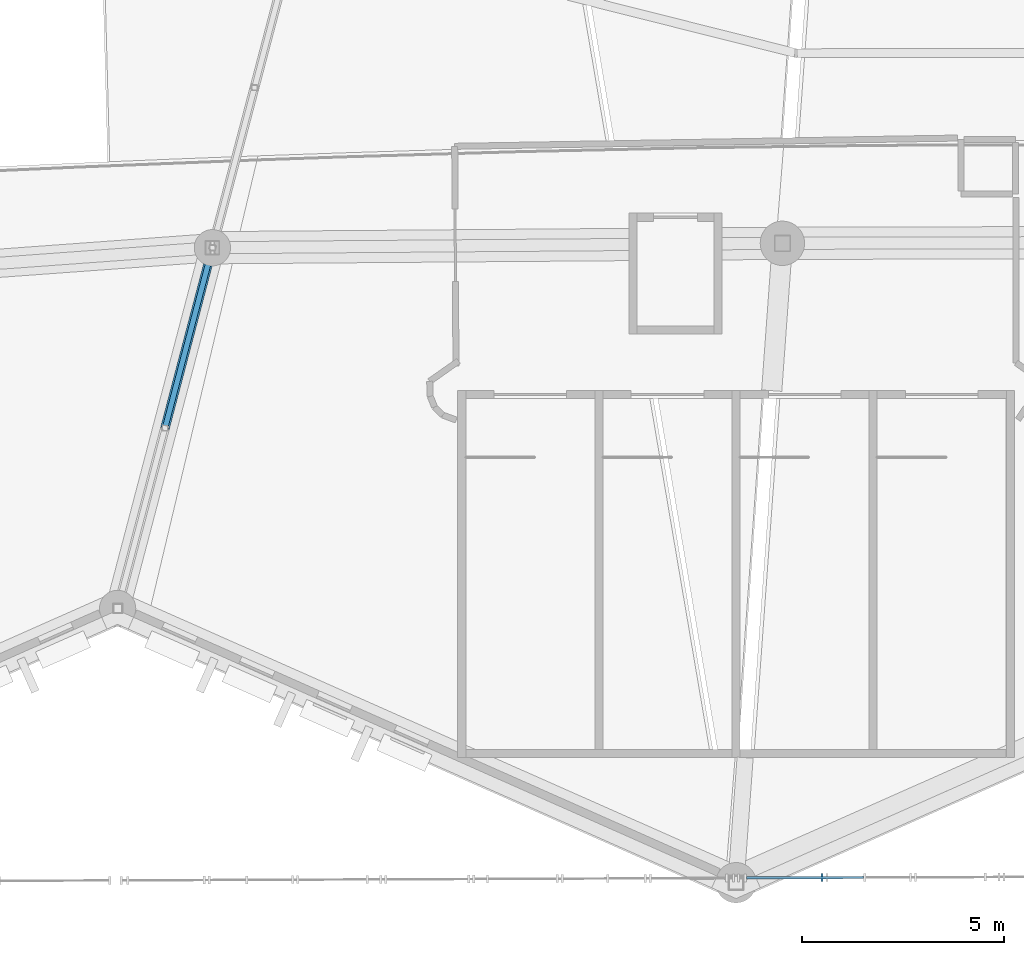
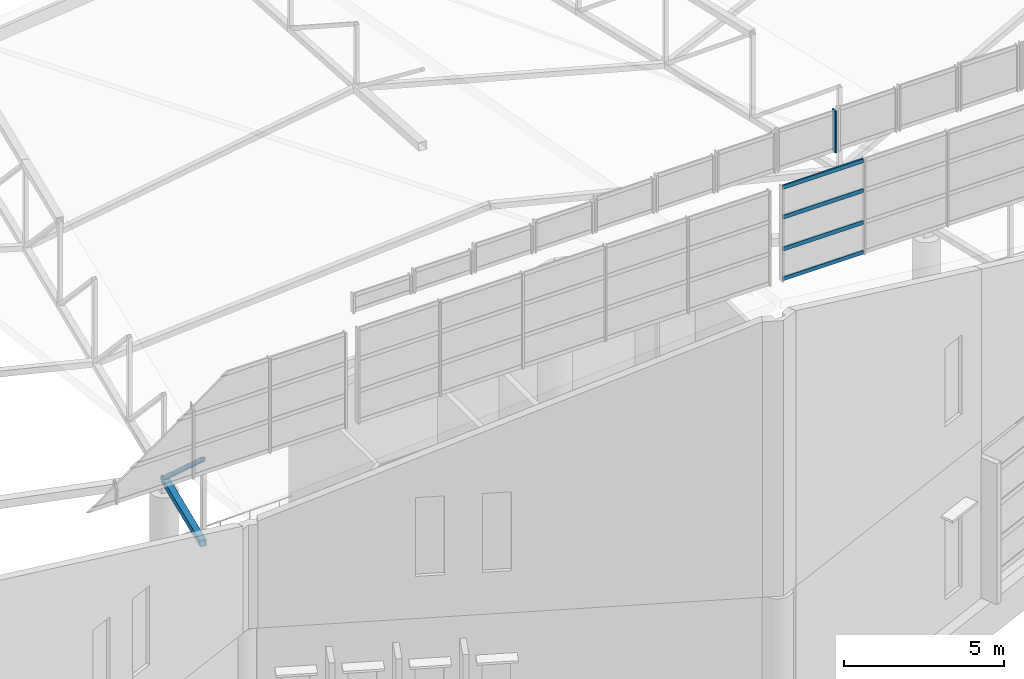
# One storey, part 27 of 344: 7 members, 2 elements without a shape of their own.
"""IFC4 building model written with IfcOpenShell, lengths in metres."""

from ifc_helpers import new_model, si_unit, direction, frame, origin, origin_2d, place, context, subcontext, project, spatial, rectangle, hollow_rectangle, extrude, material, layer, layer_set, material_profile, profile_set, type_object, element, aggregate, save


model = new_model("IFC4")

# Units and contexts
model_context = context("Model", 3, precision=1e-05, world=origin(), true_north=direction((0.0, 1.0)))
body_context = subcontext(model_context, "Body", "Model", "MODEL_VIEW")
ifc_project = project(units=[si_unit("LENGTHUNIT", "METRE"), si_unit("AREAUNIT", "SQUARE_METRE"), si_unit("VOLUMEUNIT", "CUBIC_METRE"), si_unit("PLANEANGLEUNIT", "RADIAN"), si_unit("MASSUNIT", "GRAM", prefix="KILO")], contexts=[model_context])

# Site, building, storey
site_placement = place(None, origin())
site = spatial("IfcSite", under=ifc_project, at=site_placement, CompositionType="ELEMENT")
building_placement = place(site_placement, origin())
building = spatial("IfcBuilding", under=site, at=building_placement, Name="Meseta Stadium", CompositionType="ELEMENT")
storey_placement = place(building_placement, frame((0.0, 0.0, 24.0)))
storey = spatial("IfcBuildingStorey", under=building, at=storey_placement, Name="L04", CompositionType="ELEMENT", Elevation=24.0)

# Curtain wall, member
ifc_material_1 = material(Name="Aluminium", Category="aluminium")
ifc_layer = layer(ifc_material_1, 0.199951171875)
ifc_layer_set = layer_set([ifc_layer], Name="Gable glazing curtain wall")
curtain_wall_type = type_object("IfcCurtainWallType", Name="Gable glazing curtain wall", PredefinedType="NOTDEFINED", material=ifc_layer_set)
curtain_wall_1_placement = place(storey_placement, origin())
curtain_wall_1 = element("IfcCurtainWall", 1, at=curtain_wall_1_placement, inside=storey, type_object=curtain_wall_type, Name="Gable glazing south bay 15", PredefinedType="NOTDEFINED")
ifc_material_2 = material(Name="Aluminium", Category="aluminium")
ifc_material_profile_1 = material_profile(ifc_material_2, rectangle(XDim=0.199951171875, YDim=0.06005859375, at=origin_2d()), Name="CW 200x60")
ifc_profile_set_1 = profile_set([ifc_material_profile_1], Name="Aluminium")
member_type_1 = type_object("IfcMemberType", Name="CW mullion 60x200", PredefinedType="MULLION", material=ifc_profile_set_1)
member_1_placement = place(storey_placement, frame((-5.534912109375, -105.27392578125, 21.85498046875), z_axis=(0.0, 0.0, 1.0), x_axis=(-0.003847534652, 0.999992598211, 0.0)))
member_1 = element("IfcMember", 2, at=member_1_placement, type_object=member_type_1, Name="CWG mullion 2", PredefinedType="MULLION", context=body_context, shape_type="SweptSolid", body=[
    extrude(rectangle(XDim=0.199951171875, YDim=0.06005859375, at=origin_2d()), origin(), (0.0, 0.0, 1.0), 1.59228515625),
])
aggregate(curtain_wall_1, [member_1])

# Curtain wall, members
curtain_wall_2_placement = place(storey_placement, origin())
curtain_wall_2 = element("IfcCurtainWall", 3, at=curtain_wall_2_placement, inside=storey, type_object=curtain_wall_type, Name="Gable glazing south lower bay 03", PredefinedType="NOTDEFINED")
ifc_material_3 = material(Name="Aluminium", Category="aluminium")
ifc_material_profile_2 = material_profile(ifc_material_3, rectangle(XDim=0.06005859375, YDim=0.14990234375, at=origin_2d()), Name="CW 60x150")
ifc_profile_set_2 = profile_set([ifc_material_profile_2], Name="Aluminium")
member_type_2 = type_object("IfcMemberType", Name="CW transom 60x150", PredefinedType="USERDEFINED", material=ifc_profile_set_2)
member_2_placement = place(storey_placement, frame((-7.41162109375, -105.281005859375, 17.675048828125), z_axis=(0.999992520063, 0.003867792476, 0.0), x_axis=(-0.003867792476, 0.999992520063, 0.0)))
member_2 = element("IfcMember", 4, at=member_2_placement, type_object=member_type_2, Name="CWG transom 1.1", ObjectType="TRANSOM", PredefinedType="USERDEFINED", context=body_context, shape_type="SweptSolid", body=[
    extrude(rectangle(XDim=0.06005859375, YDim=0.14990234375, at=origin_2d()), origin(), (0.0, 0.0, 1.0), 2.903564453125),
])
member_3_placement = place(storey_placement, frame((-7.41162109375, -105.281005859375, 18.811767578125), z_axis=(0.999992520063, 0.003867792476, 0.0), x_axis=(-0.003867792476, 0.999992520063, 0.0)))
member_3 = element("IfcMember", 5, at=member_3_placement, type_object=member_type_2, Name="CWG transom 1.2", ObjectType="TRANSOM", PredefinedType="USERDEFINED", context=body_context, shape_type="SweptSolid", body=[
    extrude(rectangle(XDim=0.06005859375, YDim=0.14990234375, at=origin_2d()), origin(), (0.0, 0.0, 1.0), 2.903564453125),
])
member_4_placement = place(storey_placement, frame((-7.41162109375, -105.281005859375, 20.0234375), z_axis=(0.999992520063, 0.003867792476, 0.0), x_axis=(-0.003867792476, 0.999992520063, 0.0)))
member_4 = element("IfcMember", 6, at=member_4_placement, type_object=member_type_2, Name="CWG transom 1.3", ObjectType="TRANSOM", PredefinedType="USERDEFINED", context=body_context, shape_type="SweptSolid", body=[
    extrude(rectangle(XDim=0.06005859375, YDim=0.14990234375, at=origin_2d()), origin(), (0.0, 0.0, 1.0), 2.903564453125),
])
member_5_placement = place(storey_placement, frame((-7.41162109375, -105.281005859375, 21.159912109375), z_axis=(0.999992520063, 0.003867792476, 0.0), x_axis=(-0.003867792476, 0.999992520063, 0.0)))
member_5 = element("IfcMember", 7, at=member_5_placement, type_object=member_type_2, Name="CWG transom 1.4", ObjectType="TRANSOM", PredefinedType="USERDEFINED", context=body_context, shape_type="SweptSolid", body=[
    extrude(rectangle(XDim=0.06005859375, YDim=0.14990234375, at=origin_2d()), origin(), (0.0, 0.0, 1.0), 2.903564453125),
])
aggregate(curtain_wall_2, [member_2, member_3, member_4, member_5])

# Members
ifc_material_4 = material(Name="Steel S355", Category="steel")
ifc_material_profile_3 = material_profile(ifc_material_4, hollow_rectangle(XDim=0.139892578125, YDim=0.139892578125, WallThickness=0.0048828125, at=origin_2d()), Name="SHS 140x140x5")
ifc_profile_set_3 = profile_set([ifc_material_profile_3], Name="Steel S355")
member_type_3 = type_object("IfcMemberType", Name="SHS 140x140x5 diagonal", PredefinedType="BRACE", material=ifc_profile_set_3)
member_6_placement = place(storey_placement, frame((-20.649658203125, -89.65625, 5.247802734375), z_axis=(-0.195375214434, -0.743546187989, 0.639505740327), x_axis=(0.967168857221, -0.25413461319, 0.0)))
element("IfcMember", 8, at=member_6_placement, inside=storey, type_object=member_type_3, Name="ROOF TRUSS RT-45 diagonal", PredefinedType="BRACE", context=body_context, shape_type="SweptSolid", body=[
    extrude(hollow_rectangle(XDim=0.139892578125, YDim=0.139892578125, WallThickness=0.0048828125, at=origin_2d()), origin(), (0.0, 0.0, 1.0), 6.014404296875),
])
ifc_material_5 = material(Name="Steel S355", Category="steel")
ifc_material_profile_4 = material_profile(ifc_material_5, hollow_rectangle(XDim=0.219970703125, YDim=0.219970703125, WallThickness=0.008056640625, at=origin_2d()), Name="SHS 220x220x8")
ifc_profile_set_4 = profile_set([ifc_material_profile_4], Name="Steel S355")
member_type_4 = type_object("IfcMemberType", Name="SHS 220x220x8 bottom chord", PredefinedType="CHORD", material=ifc_profile_set_4)
member_7_placement = place(storey_placement, frame((-20.649658203125, -89.65625, 5.247802734375), z_axis=(-0.251688192856, -0.957858431028, 0.138420662059), x_axis=(0.967168857221, -0.25413461319, 0.0)))
element("IfcMember", 9, at=member_7_placement, inside=storey, type_object=member_type_4, Name="ROOF TRUSS RT-45 bottom chord", PredefinedType="CHORD", context=body_context, shape_type="SweptSolid", body=[
    extrude(hollow_rectangle(XDim=0.219970703125, YDim=0.219970703125, WallThickness=0.008056640625, at=origin_2d()), origin(), (0.0, 0.0, 1.0), 4.668701171875),
])

save(model, "model.ifc")
